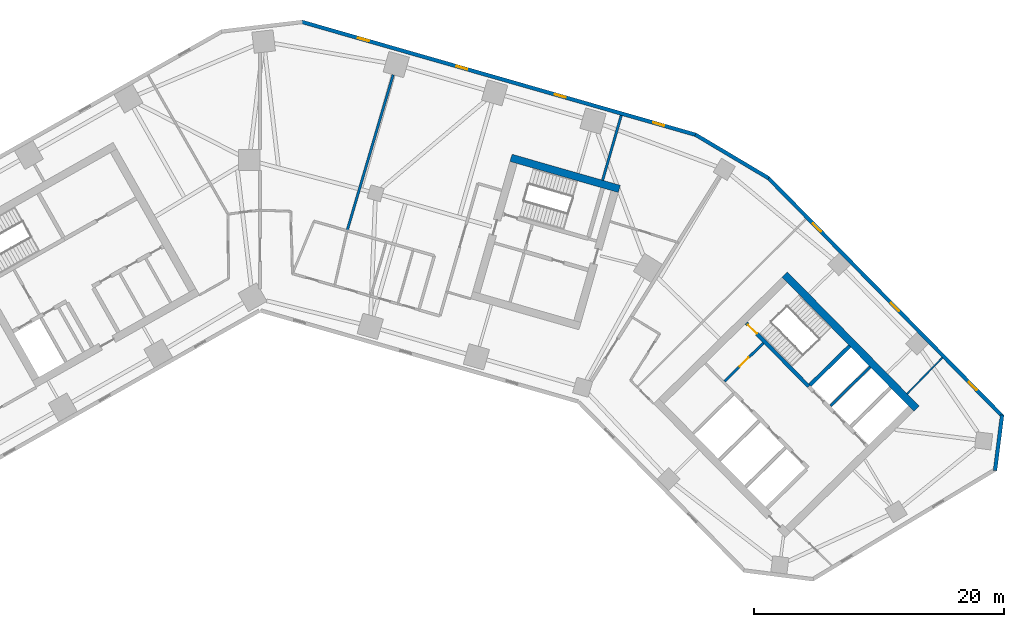
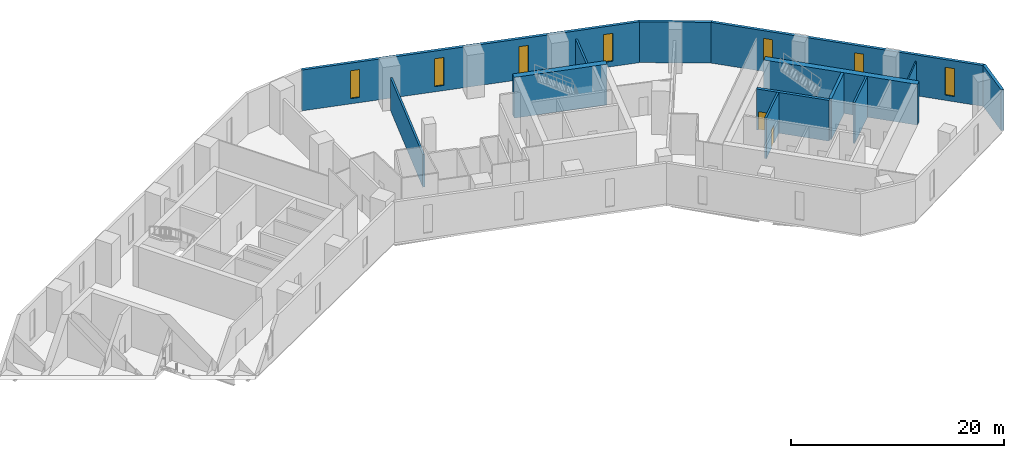
# One storey, part 7 of 10: 13 walls, 7 windows, 2 doors, 9 openings.
"""IFC4 building model written with IfcOpenShell, lengths in metres."""

from ifc_helpers import new_model, si_unit, direction, frame, frame_2d, origin, place, context, subcontext, project, spatial, rectangle, extrude, material, layer, layer_set, type_object, element, fill, save


model = new_model("IFC4")

# Units and contexts
model_context = context("Model", 3, precision=1e-05, world=origin(), true_north=direction((0.0, 1.0)))
body_context = subcontext(model_context, "Body", "Model", "MODEL_VIEW")
ifc_project = project(units=[si_unit("LENGTHUNIT", "METRE"), si_unit("AREAUNIT", "SQUARE_METRE"), si_unit("VOLUMEUNIT", "CUBIC_METRE"), si_unit("PLANEANGLEUNIT", "RADIAN"), si_unit("MASSUNIT", "GRAM", prefix="KILO")], contexts=[model_context])

# Site, building, storey
site_placement = place(None, origin())
site = spatial("IfcSite", under=ifc_project, at=site_placement, CompositionType="ELEMENT")
building_placement = place(site_placement, origin())
building = spatial("IfcBuilding", under=site, at=building_placement, Name="Binnacle Exchange Tower", CompositionType="ELEMENT")
storey_placement = place(building_placement, frame((0.0, 0.0, 81.5)))
storey = spatial("IfcBuildingStorey", under=building, at=storey_placement, Name="L16", CompositionType="ELEMENT", Elevation=81.5)

# Walls
ifc_material_1 = material(Name="Concrete C70/85", Category="concrete")
ifc_layer_1 = layer(ifc_material_1, 0.60009765625)
ifc_layer_set_1 = layer_set([ifc_layer_1], Name="Core wall - outer 600")
wall_type_1 = type_object("IfcWallType", Name="Core wall - outer 600", PredefinedType="SOLIDWALL", material=ifc_layer_set_1)
wall_1_placement = place(storey_placement, frame((41.91650390625, 50.855712890625, 0.0), z_axis=(0.0, 0.0, 1.0), x_axis=(0.700911255944, -0.713248491965, 0.0)))
element("IfcWall", 1, at=wall_1_placement, inside=storey, type_object=wall_type_1, Name="Core wall CRWB6", PredefinedType="SOLIDWALL", context=body_context, shape_type="SweptSolid", body=[
    extrude(rectangle(XDim=15.0, YDim=0.60009765625, at=frame_2d((7.5, 0.0))), origin(), (0.0, 0.0, 1.0), 4.679931640625),
])
wall_2_placement = place(storey_placement, frame((20.052734375, 60.1796875, 0.0), z_axis=(0.0, 0.0, 1.0), x_axis=(0.96126248289, -0.275634611374, 0.0)))
element("IfcWall", 2, at=wall_2_placement, inside=storey, type_object=wall_type_1, Name="Core wall CRWD6", PredefinedType="SOLIDWALL", context=body_context, shape_type="SweptSolid", body=[
    extrude(rectangle(XDim=9.0, YDim=0.60009765625, at=frame_2d((4.5, 0.0))), origin(), (0.0, 0.0, 1.0), 4.679931640625),
])

# Wall, opening, door
ifc_layer_2 = layer(ifc_material_1, 0.300048828125)
ifc_layer_set_2 = layer_set([ifc_layer_2], Name="Core wall - stair 300")
wall_type_2 = type_object("IfcWallType", Name="Core wall - stair 300", PredefinedType="SOLIDWALL", material=ifc_layer_set_2)
wall_3_placement = place(storey_placement, frame((38.842041015625, 46.993408203125, 0.0), z_axis=(0.0, 0.0, 1.0), x_axis=(0.700907701701, -0.713251984713, 0.0)))
wall_3 = element("IfcWall", 3, at=wall_3_placement, inside=storey, type_object=wall_type_2, Name="Core wall CRWB4", PredefinedType="SOLIDWALL", context=body_context, shape_type="SweptSolid", body=[
    extrude(rectangle(XDim=7.10009765625, YDim=0.300048828125, at=frame_2d((3.550048828125, 0.0))), origin(), (0.0, 0.0, 1.0), 4.679931640625),
])
opening_1_placement = place(wall_3_placement, frame((0.199951171875, 0.0, 0.0)))
opening_1 = element("IfcOpeningElement", 4, at=opening_1_placement, cuts=wall_3, Name="Opening DB1", PredefinedType="OPENING", context=body_context, shape_type="SweptSolid", body=[
    extrude(rectangle(XDim=1.0, YDim=2.10009765625, at=frame_2d((0.5, 1.050048828125))), frame((0.0, 0.159912109375, 0.0), z_axis=(0.0, -1.0, 0.0), x_axis=(1.0, 0.0, 0.0)), (0.0, 0.0, 1.0), 0.320068359375),
])
ifc_material_2 = material(Name="Steel door leaf", Category="steel")
door_type = type_object("IfcDoorType", Name="Fire door 1000", OperationType="NOTDEFINED", PredefinedType="DOOR", material=ifc_material_2)
door_1_placement = place(opening_1_placement, origin())
door_1 = element("IfcDoor", 5, at=door_1_placement, inside=storey, type_object=door_type, Name="Stair door ST-B1", OperationType="SINGLE_SWING_LEFT", OverallHeight=2.10009765625, OverallWidth=1.0, PredefinedType="DOOR", context=body_context, shape_type="SweptSolid", body=[
    extrude(rectangle(XDim=1.0, YDim=2.10009765625, at=frame_2d((0.5, 1.050048828125))), frame((0.0, 0.02490234375, 0.0), z_axis=(0.0, -1.0, 0.0), x_axis=(1.0, 0.0, 0.0)), (0.0, 0.0, 1.0), 0.050048828125),
])
fill(opening_1, door_1)

# Walls
wall_4_placement = place(storey_placement, frame((43.925537109375, 42.034423828125, 0.0), z_axis=(0.0, 0.0, 1.0), x_axis=(0.713251741427, 0.700907949271, 0.0)))
element("IfcWall", 6, at=wall_4_placement, inside=storey, type_object=wall_type_2, Name="Core wall CRWB11", PredefinedType="SOLIDWALL", context=body_context, shape_type="SweptSolid", body=[
    extrude(rectangle(XDim=4.4501953125, YDim=0.300048828125, at=frame_2d((2.22509765625, 0.0))), origin(), (0.0, 0.0, 1.0), 4.679931640625),
])
ifc_material_3 = material(Name="Bronze aluminium cladding", Category="aluminium")
ifc_layer_3 = layer(ifc_material_3, 0.300048828125)
ifc_layer_set_3 = layer_set([ifc_layer_3], Name="External wall - spandrel 300")
wall_type_3 = type_object("IfcWallType", Name="External wall - spandrel 300", PredefinedType="STANDARD", material=ifc_layer_set_3)
wall_5_placement = place(storey_placement, frame((34.773193359375, 62.0341796875, 0.0), z_axis=(0.0, 0.0, 1.0), x_axis=(0.859401317772, -0.511301647769, 0.0)))
element("IfcWall", 7, at=wall_5_placement, inside=storey, type_object=wall_type_3, Name="External wall EW-F00 L16", PredefinedType="STANDARD", context=body_context, shape_type="SweptSolid", body=[
    extrude(rectangle(XDim=6.80810546875, YDim=0.300048828125, at=frame_2d((3.404052734375, 0.0))), origin(), (0.0, 0.0, 1.0), 4.679931640625),
])

# Wall, openings, windows
wall_6_placement = place(storey_placement, frame((3.33544921875, 71.043701171875, 0.0), z_axis=(0.0, 0.0, 1.0), x_axis=(0.961260130989, -0.275642813387, 0.0)))
wall_6 = element("IfcWall", 8, at=wall_6_placement, inside=storey, type_object=wall_type_3, Name="External wall EW-F01 L16", PredefinedType="STANDARD", context=body_context, shape_type="SweptSolid", body=[
    extrude(rectangle(XDim=32.7412109375, YDim=0.300048828125, at=frame_2d((16.37060546875, 0.0))), origin(), (0.0, 0.0, 1.0), 4.679931640625),
])
opening_2_placement = place(wall_6_placement, frame((29.20703125, 0.0, 0.60009765625)))
opening_2 = element("IfcOpeningElement", 9, at=opening_2_placement, cuts=wall_6, Name="Opening WS1", PredefinedType="OPENING", context=body_context, shape_type="SweptSolid", body=[
    extrude(rectangle(XDim=0.89990234375, YDim=3.199951171875, at=frame_2d((0.449951171875, 1.60009765625))), frame((0.0, 0.159912109375, 0.0), z_axis=(0.0, -1.0, 0.0), x_axis=(1.0, 0.0, 0.0)), (0.0, 0.0, 1.0), 0.320068359375),
])
opening_3_placement = place(wall_6_placement, frame((21.0341796875, 0.0, 0.60009765625)))
opening_3 = element("IfcOpeningElement", 10, at=opening_3_placement, cuts=wall_6, Name="Opening WS1", PredefinedType="OPENING", context=body_context, shape_type="SweptSolid", body=[
    extrude(rectangle(XDim=0.89990234375, YDim=3.199951171875, at=frame_2d((0.449951171875, 1.60009765625))), frame((0.0, 0.159912109375, 0.0), z_axis=(0.0, -1.0, 0.0), x_axis=(1.0, 0.0, 0.0)), (0.0, 0.0, 1.0), 0.320068359375),
])
opening_4_placement = place(wall_6_placement, frame((12.861083984375, 0.0, 0.60009765625)))
opening_4 = element("IfcOpeningElement", 11, at=opening_4_placement, cuts=wall_6, Name="Opening WS1", PredefinedType="OPENING", context=body_context, shape_type="SweptSolid", body=[
    extrude(rectangle(XDim=0.89990234375, YDim=3.199951171875, at=frame_2d((0.449951171875, 1.60009765625))), frame((0.0, 0.159912109375, 0.0), z_axis=(0.0, -1.0, 0.0), x_axis=(1.0, 0.0, 0.0)), (0.0, 0.0, 1.0), 0.320068359375),
])
opening_5_placement = place(wall_6_placement, frame((4.688232421875, 0.0, 0.60009765625)))
opening_5 = element("IfcOpeningElement", 12, at=opening_5_placement, cuts=wall_6, Name="Opening WS1", PredefinedType="OPENING", context=body_context, shape_type="SweptSolid", body=[
    extrude(rectangle(XDim=0.89990234375, YDim=3.199951171875, at=frame_2d((0.449951171875, 1.60009765625))), frame((0.0, 0.159912109375, 0.0), z_axis=(0.0, -1.0, 0.0), x_axis=(1.0, 0.0, 0.0)), (0.0, 0.0, 1.0), 0.320068359375),
])
ifc_material_4 = material(Name="Bronze anodised aluminium frame", Category="aluminium")
window_type = type_object("IfcWindowType", Name="WS1 WINDOW 900x3200", PartitioningType="SINGLE_PANEL", PredefinedType="WINDOW", material=ifc_material_4)
window_1_placement = place(opening_2_placement, origin())
window_1 = element("IfcWindow", 13, at=window_1_placement, inside=storey, type_object=window_type, Name="Window WS1 L16", OverallHeight=3.199951171875, OverallWidth=0.89990234375, PartitioningType="SINGLE_PANEL", PredefinedType="WINDOW", context=body_context, shape_type="SweptSolid", body=[
    extrude(rectangle(XDim=0.89990234375, YDim=3.199951171875, at=frame_2d((0.449951171875, 1.60009765625))), frame((0.0, 0.030029296875, 0.0), z_axis=(0.0, -1.0, 0.0), x_axis=(1.0, 0.0, 0.0)), (0.0, 0.0, 1.0), 0.06005859375),
])
fill(opening_2, window_1)
window_2_placement = place(opening_3_placement, origin())
window_2 = element("IfcWindow", 14, at=window_2_placement, inside=storey, type_object=window_type, Name="Window WS1 L16", OverallHeight=3.199951171875, OverallWidth=0.89990234375, PartitioningType="SINGLE_PANEL", PredefinedType="WINDOW", context=body_context, shape_type="SweptSolid", body=[
    extrude(rectangle(XDim=0.89990234375, YDim=3.199951171875, at=frame_2d((0.449951171875, 1.60009765625))), frame((0.0, 0.030029296875, 0.0), z_axis=(0.0, -1.0, 0.0), x_axis=(1.0, 0.0, 0.0)), (0.0, 0.0, 1.0), 0.06005859375),
])
fill(opening_3, window_2)
window_3_placement = place(opening_4_placement, origin())
window_3 = element("IfcWindow", 15, at=window_3_placement, inside=storey, type_object=window_type, Name="Window WS1 L16", OverallHeight=3.199951171875, OverallWidth=0.89990234375, PartitioningType="SINGLE_PANEL", PredefinedType="WINDOW", context=body_context, shape_type="SweptSolid", body=[
    extrude(rectangle(XDim=0.89990234375, YDim=3.199951171875, at=frame_2d((0.449951171875, 1.60009765625))), frame((0.0, 0.030029296875, 0.0), z_axis=(0.0, -1.0, 0.0), x_axis=(1.0, 0.0, 0.0)), (0.0, 0.0, 1.0), 0.06005859375),
])
fill(opening_4, window_3)
window_4_placement = place(opening_5_placement, origin())
window_4 = element("IfcWindow", 16, at=window_4_placement, inside=storey, type_object=window_type, Name="Window WS1 L16", OverallHeight=3.199951171875, OverallWidth=0.89990234375, PartitioningType="SINGLE_PANEL", PredefinedType="WINDOW", context=body_context, shape_type="SweptSolid", body=[
    extrude(rectangle(XDim=0.89990234375, YDim=3.199951171875, at=frame_2d((0.449951171875, 1.60009765625))), frame((0.0, 0.030029296875, 0.0), z_axis=(0.0, -1.0, 0.0), x_axis=(1.0, 0.0, 0.0)), (0.0, 0.0, 1.0), 0.06005859375),
])
fill(opening_5, window_4)

# Wall
wall_7_placement = place(storey_placement, frame((59.27197265625, 39.6513671875, 0.0), z_axis=(0.0, 0.0, 1.0), x_axis=(-0.126181137886, -0.992007217938, 0.0)))
element("IfcWall", 17, at=wall_7_placement, inside=storey, type_object=wall_type_3, Name="External wall EW-F12 L16", PredefinedType="STANDARD", context=body_context, shape_type="SweptSolid", body=[
    extrude(rectangle(XDim=4.479248046875, YDim=0.300048828125, at=frame_2d((2.23974609375, 0.0))), origin(), (0.0, 0.0, 1.0), 4.679931640625),
])

# Wall, openings, windows
wall_8_placement = place(storey_placement, frame((40.59375, 58.576904296875, 0.0), z_axis=(0.0, 0.0, 1.0), x_axis=(0.700909719808, -0.713250001528, 0.0)))
wall_8 = element("IfcWall", 18, at=wall_8_placement, inside=storey, type_object=wall_type_3, Name="External wall EW-F13 L16", PredefinedType="STANDARD", context=body_context, shape_type="SweptSolid", body=[
    extrude(rectangle(XDim=26.70849609375, YDim=0.300048828125, at=frame_2d((13.354248046875, 0.0))), origin(), (0.0, 0.0, 1.0), 4.679931640625),
])
opening_6_placement = place(wall_8_placement, frame((22.8583984375, 0.0, 0.60009765625)))
opening_6 = element("IfcOpeningElement", 19, at=opening_6_placement, cuts=wall_8, Name="Opening WS1", PredefinedType="OPENING", context=body_context, shape_type="SweptSolid", body=[
    extrude(rectangle(XDim=0.89990234375, YDim=3.199951171875, at=frame_2d((0.449951171875, 1.60009765625))), frame((0.0, 0.159912109375, 0.0), z_axis=(0.0, -1.0, 0.0), x_axis=(1.0, 0.0, 0.0)), (0.0, 0.0, 1.0), 0.320068359375),
])
opening_7_placement = place(wall_8_placement, frame((13.986572265625, 0.0, 0.60009765625)))
opening_7 = element("IfcOpeningElement", 20, at=opening_7_placement, cuts=wall_8, Name="Opening WS1", PredefinedType="OPENING", context=body_context, shape_type="SweptSolid", body=[
    extrude(rectangle(XDim=0.89990234375, YDim=3.199951171875, at=frame_2d((0.449951171875, 1.60009765625))), frame((0.0, 0.159912109375, 0.0), z_axis=(0.0, -1.0, 0.0), x_axis=(1.0, 0.0, 0.0)), (0.0, 0.0, 1.0), 0.320068359375),
])
opening_8_placement = place(wall_8_placement, frame((5.114501953125, 0.0, 0.60009765625)))
opening_8 = element("IfcOpeningElement", 21, at=opening_8_placement, cuts=wall_8, Name="Opening WS1", PredefinedType="OPENING", context=body_context, shape_type="SweptSolid", body=[
    extrude(rectangle(XDim=0.89990234375, YDim=3.199951171875, at=frame_2d((0.449951171875, 1.60009765625))), frame((0.0, 0.159912109375, 0.0), z_axis=(0.0, -1.0, 0.0), x_axis=(1.0, 0.0, 0.0)), (0.0, 0.0, 1.0), 0.320068359375),
])
window_5_placement = place(opening_6_placement, origin())
window_5 = element("IfcWindow", 22, at=window_5_placement, inside=storey, type_object=window_type, Name="Window WS1 L16", OverallHeight=3.199951171875, OverallWidth=0.89990234375, PartitioningType="SINGLE_PANEL", PredefinedType="WINDOW", context=body_context, shape_type="SweptSolid", body=[
    extrude(rectangle(XDim=0.89990234375, YDim=3.199951171875, at=frame_2d((0.449951171875, 1.60009765625))), frame((0.0, 0.030029296875, 0.0), z_axis=(0.0, -1.0, 0.0), x_axis=(1.0, 0.0, 0.0)), (0.0, 0.0, 1.0), 0.06005859375),
])
fill(opening_6, window_5)
window_6_placement = place(opening_7_placement, origin())
window_6 = element("IfcWindow", 23, at=window_6_placement, inside=storey, type_object=window_type, Name="Window WS1 L16", OverallHeight=3.199951171875, OverallWidth=0.89990234375, PartitioningType="SINGLE_PANEL", PredefinedType="WINDOW", context=body_context, shape_type="SweptSolid", body=[
    extrude(rectangle(XDim=0.89990234375, YDim=3.199951171875, at=frame_2d((0.449951171875, 1.60009765625))), frame((0.0, 0.030029296875, 0.0), z_axis=(0.0, -1.0, 0.0), x_axis=(1.0, 0.0, 0.0)), (0.0, 0.0, 1.0), 0.06005859375),
])
fill(opening_7, window_6)
window_7_placement = place(opening_8_placement, origin())
window_7 = element("IfcWindow", 24, at=window_7_placement, inside=storey, type_object=window_type, Name="Window WS1 L16", OverallHeight=3.199951171875, OverallWidth=0.89990234375, PartitioningType="SINGLE_PANEL", PredefinedType="WINDOW", context=body_context, shape_type="SweptSolid", body=[
    extrude(rectangle(XDim=0.89990234375, YDim=3.199951171875, at=frame_2d((0.449951171875, 1.60009765625))), frame((0.0, 0.030029296875, 0.0), z_axis=(0.0, -1.0, 0.0), x_axis=(1.0, 0.0, 0.0)), (0.0, 0.0, 1.0), 0.06005859375),
])
fill(opening_8, window_7)

# Walls
ifc_material_5 = material(Name="Masonry block wall", Category="masonry")
ifc_layer_4 = layer(ifc_material_5, 0.199951171875)
ifc_layer_set_4 = layer_set([ifc_layer_4], Name="Fire wall - block 200")
wall_type_4 = type_object("IfcWallType", Name="Fire wall - block 200", PredefinedType="PARTITIONING", material=ifc_layer_set_4)
wall_9_placement = place(storey_placement, frame((6.966064453125, 54.362060546875, 0.0), z_axis=(0.0, 0.0, 1.0), x_axis=(0.283027392509, 0.959111826165, 0.0)))
element("IfcWall", 25, at=wall_9_placement, inside=storey, type_object=wall_type_4, Name="Partition W21", PredefinedType="PARTITIONING", context=body_context, shape_type="SweptSolid", body=[
    extrude(rectangle(XDim=12.98486328125, YDim=0.199951171875, at=frame_2d((6.492431640625, 0.0))), origin(), (0.0, 0.0, 1.0), 3.741943359375),
])
wall_10_placement = place(storey_placement, frame((27.367919921875, 58.39404296875, 0.0), z_axis=(0.0, 0.0, 1.0), x_axis=(0.276295387056, 0.961072764722, 0.0)))
element("IfcWall", 26, at=wall_10_placement, inside=storey, type_object=wall_type_4, Name="Partition W35", PredefinedType="PARTITIONING", context=body_context, shape_type="SweptSolid", body=[
    extrude(rectangle(XDim=5.3857421875, YDim=0.199951171875, at=frame_2d((2.69287109375, 0.0))), origin(), (0.0, 0.0, 1.0), 3.748046875),
])

# Wall, opening, door
ifc_layer_5 = layer(ifc_material_5, 0.199951171875)
ifc_layer_set_5 = layer_set([ifc_layer_5], Name="Fire wall - vestibule 200")
wall_type_5 = type_object("IfcWallType", Name="Fire wall - vestibule 200", PredefinedType="PARTITIONING", material=ifc_layer_set_5)
wall_11_placement = place(storey_placement, frame((37.104248046875, 42.341552734375, 0.0), z_axis=(0.0, 0.0, 1.0), x_axis=(0.713281298468, 0.700877870428, 0.0)))
wall_11 = element("IfcWall", 27, at=wall_11_placement, inside=storey, type_object=wall_type_5, Name="Core wall CRWB8", PredefinedType="PARTITIONING", context=body_context, shape_type="SweptSolid", body=[
    extrude(rectangle(XDim=4.35009765625, YDim=0.199951171875, at=frame_2d((2.175048828125, 0.0))), origin(), (0.0, 0.0, 1.0), 4.679931640625),
])
opening_9_placement = place(wall_11_placement, frame((1.699951171875, 0.0, 0.0)))
opening_9 = element("IfcOpeningElement", 28, at=opening_9_placement, cuts=wall_11, Name="Opening DB3", PredefinedType="OPENING", context=body_context, shape_type="SweptSolid", body=[
    extrude(rectangle(XDim=1.0, YDim=2.10009765625, at=frame_2d((0.5, 1.050048828125))), frame((0.0, 0.10986328125, 0.0), z_axis=(0.0, -1.0, 0.0), x_axis=(1.0, 0.0, 0.0)), (0.0, 0.0, 1.0), 0.219970703125),
])
door_2_placement = place(opening_9_placement, origin())
door_2 = element("IfcDoor", 29, at=door_2_placement, inside=storey, type_object=door_type, Name="Vestibule door VEST-W", OperationType="SINGLE_SWING_RIGHT", OverallHeight=2.10009765625, OverallWidth=1.0, PredefinedType="DOOR", context=body_context, shape_type="SweptSolid", body=[
    extrude(rectangle(XDim=1.0, YDim=2.10009765625, at=frame_2d((0.5, 1.050048828125))), frame((0.0, 0.02490234375, 0.0), z_axis=(0.0, -1.0, 0.0), x_axis=(1.0, 0.0, 0.0)), (0.0, 0.0, 1.0), 0.050048828125),
])
fill(opening_9, door_2)

# Walls
ifc_material_6 = material(Name="Gypsum partition")
ifc_layer_6 = layer(ifc_material_6, 0.125)
ifc_layer_set_6 = layer_set([ifc_layer_6], Name="Partition 125")
wall_type_6 = type_object("IfcWallType", Name="Partition 125", PredefinedType="PARTITIONING", material=ifc_layer_set_6)
wall_12_placement = place(storey_placement, frame((51.68798828125, 41.340087890625, 0.0), z_axis=(0.0, 0.0, 1.0), x_axis=(0.698090794369, 0.716009247718, 0.0)))
element("IfcWall", 30, at=wall_12_placement, inside=storey, type_object=wall_type_6, Name="Partition W45", PredefinedType="PARTITIONING", context=body_context, shape_type="SweptSolid", body=[
    extrude(rectangle(XDim=4.019287109375, YDim=0.125, at=frame_2d((2.009765625, 0.0))), origin(), (0.0, 0.0, 1.0), 3.9599609375),
])
ifc_layer_7 = layer(ifc_material_5, 0.199951171875)
ifc_layer_set_7 = layer_set([ifc_layer_7], Name="Shaft wall 200")
wall_type_7 = type_object("IfcWallType", Name="Shaft wall 200", PredefinedType="SOLIDWALL", material=ifc_layer_set_7)
wall_13_placement = place(storey_placement, frame((45.55859375, 40.37255859375, 0.0), z_axis=(0.0, 0.0, 1.0), x_axis=(0.713251741427, 0.700907949271, 0.0)))
element("IfcWall", 31, at=wall_13_placement, inside=storey, type_object=wall_type_7, Name="Core wall CRWB13", PredefinedType="SOLIDWALL", context=body_context, shape_type="SweptSolid", body=[
    extrude(rectangle(XDim=4.4501953125, YDim=0.199951171875, at=frame_2d((2.22509765625, 0.0))), origin(), (0.0, 0.0, 1.0), 4.679931640625),
])

save(model, "model.ifc")
